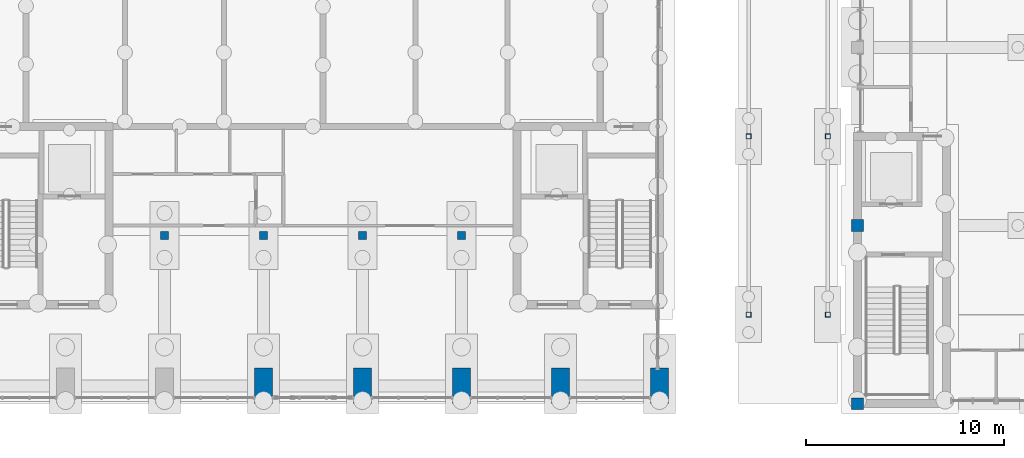
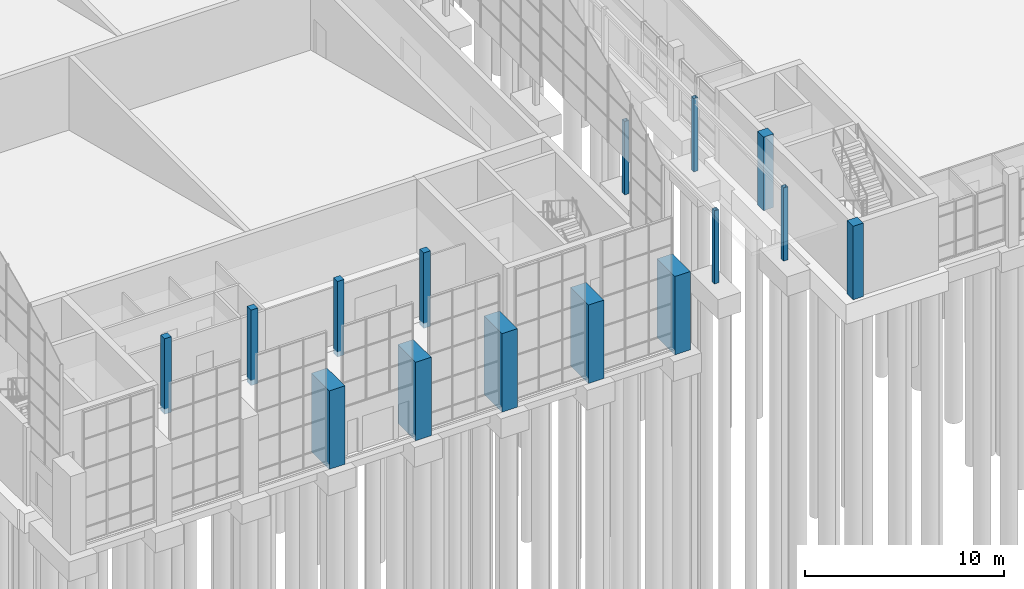
# One storey, part 9 of 106: 15 columns.
"""IFC4 building model written with IfcOpenShell, lengths in metres."""

from ifc_helpers import new_model, si_unit, direction, frame, origin, origin_2d, place, context, subcontext, project, spatial, rectangle, hollow_rectangle, extrude, material, material_profile, profile_set, type_object, element, save


model = new_model("IFC4")

# Units and contexts
model_context = context("Model", 3, precision=1e-05, world=origin(), true_north=direction((0.0, 1.0)))
body_context = subcontext(model_context, "Body", "Model", "MODEL_VIEW")
ifc_project = project(units=[si_unit("LENGTHUNIT", "METRE"), si_unit("AREAUNIT", "SQUARE_METRE"), si_unit("VOLUMEUNIT", "CUBIC_METRE"), si_unit("PLANEANGLEUNIT", "RADIAN"), si_unit("MASSUNIT", "GRAM", prefix="KILO")], contexts=[model_context])

# Site, building, storey
site_placement = place(None, origin())
site = spatial("IfcSite", under=ifc_project, at=site_placement, CompositionType="ELEMENT")
building_placement = place(site_placement, origin())
building = spatial("IfcBuilding", under=site, at=building_placement, Name="Merrow Basin Faculty of Sciences", CompositionType="ELEMENT")
storey_placement = place(building_placement, origin())
storey = spatial("IfcBuildingStorey", under=building, at=storey_placement, Name="L00", CompositionType="ELEMENT", Elevation=0.0)

# Columns
ifc_material_1 = material(Name="Steel ASTM A500 Gr C", Category="steel")
ifc_material_profile_1 = material_profile(ifc_material_1, hollow_rectangle(XDim=0.25390625, YDim=0.25390625, WallThickness=0.0126953125, at=origin_2d()))
ifc_profile_set_1 = profile_set([ifc_material_profile_1], Name="Steel ASTM A500 Gr C")
column_type_1 = type_object("IfcColumnType", Name="Canopy column HSS254x254x12.7", PredefinedType="COLUMN", material=ifc_profile_set_1)
for number, where, z_axis, x_axis, name in (
    (1, (39.5, 4.5, -0.300048828125), (0.0, 0.0, 1.0), (1.0, 0.0, 0.0), "Canopy column P2"),
    (2, (39.5, 13.5, -0.300048828125), (0.0, 0.0, 1.0), (1.0, 0.0, 0.0), "Canopy column P2"),
    (3, (43.5, 4.5, -0.300048828125), (0.0, 0.0, 1.0), (1.0, 0.0, 0.0), "Canopy column P2"),
    (4, (43.5, 13.5, -0.300048828125), (0.0, 0.0, 1.0), (1.0, 0.0, 0.0), "Canopy column P2"),
):
    element("IfcColumn", number, at=place(storey_placement, frame(where, z_axis=z_axis, x_axis=x_axis)), inside=storey, type_object=column_type_1, Name=name, PredefinedType="COLUMN", context=body_context, shape_type="SweptSolid", body=[
        extrude(hollow_rectangle(XDim=0.25390625, YDim=0.25390625, WallThickness=0.0126953125, at=origin_2d()), origin(), (0.0, 0.0, 1.0), 4.47998046875),
    ])
ifc_material_2 = material(Name="Concrete C40/50", Category="concrete")
ifc_material_profile_2 = material_profile(ifc_material_2, rectangle(XDim=0.39990234375, YDim=0.39990234375, at=origin_2d()))
ifc_profile_set_2 = profile_set([ifc_material_profile_2], Name="Concrete C40/50")
column_type_2 = type_object("IfcColumnType", Name="Column RC400x400 C40/50", PredefinedType="COLUMN", material=ifc_profile_set_2)
for number, where, z_axis, x_axis, name in (
    (5, (10.0, 8.5, -0.300048828125), (0.0, 0.0, 1.0), (1.0, 0.0, 0.0), "Column L L00"),
    (6, (15.0, 8.5, -0.300048828125), (0.0, 0.0, 1.0), (1.0, 0.0, 0.0), "Column M L00"),
    (7, (20.0, 8.5, -0.300048828125), (0.0, 0.0, 1.0), (1.0, 0.0, 0.0), "Column N L00"),
    (8, (25.0, 8.5, -0.300048828125), (0.0, 0.0, 1.0), (1.0, 0.0, 0.0), "Column P L00"),
):
    element("IfcColumn", number, at=place(storey_placement, frame(where, z_axis=z_axis, x_axis=x_axis)), inside=storey, type_object=column_type_2, Name=name, PredefinedType="COLUMN", context=body_context, shape_type="SweptSolid", body=[
        extrude(rectangle(XDim=0.39990234375, YDim=0.39990234375, at=origin_2d()), origin(), (0.0, 0.0, 1.0), 4.6201171875),
    ])
ifc_material_3 = material(Name="Concrete C40/50", Category="concrete")
ifc_material_profile_3 = material_profile(ifc_material_3, rectangle(XDim=0.60009765625, YDim=0.60009765625, at=origin_2d()))
ifc_profile_set_3 = profile_set([ifc_material_profile_3], Name="Concrete C40/50")
column_type_3 = type_object("IfcColumnType", Name="Column RC600x600 C40/50", PredefinedType="COLUMN", material=ifc_profile_set_3)
for number, where, z_axis, x_axis, name in (
    (9, (45.0, 0.0, -0.300048828125), (0.0, 0.0, 1.0), (1.0, 0.0, 0.0), "Column F10 L00"),
    (10, (45.0, 9.0, -0.300048828125), (0.0, 0.0, 1.0), (1.0, 0.0, 0.0), "Column F L00"),
):
    element("IfcColumn", number, at=place(storey_placement, frame(where, z_axis=z_axis, x_axis=x_axis)), inside=storey, type_object=column_type_3, Name=name, PredefinedType="COLUMN", context=body_context, shape_type="SweptSolid", body=[
        extrude(rectangle(XDim=0.60009765625, YDim=0.60009765625, at=origin_2d()), origin(), (0.0, 0.0, 1.0), 4.5),
    ])
ifc_material_4 = material(Name="Concrete C50/60", Category="concrete")
ifc_material_profile_4 = material_profile(ifc_material_4, rectangle(XDim=0.89990234375, YDim=1.800048828125, at=origin_2d()))
ifc_profile_set_4 = profile_set([ifc_material_profile_4], Name="Concrete C50/60")
column_type_4 = type_object("IfcColumnType", Name="Column RC900x1800 C50/60", PredefinedType="COLUMN", material=ifc_profile_set_4)
for number, where, z_axis, x_axis, name in (
    (11, (15.0, 0.89990234375, -0.300048828125), (0.0, 0.0, 1.0), (1.0, 0.0, 0.0), "Column M L00"),
    (12, (20.0, 0.89990234375, -0.300048828125), (0.0, 0.0, 1.0), (1.0, 0.0, 0.0), "Column N L00"),
    (13, (25.0, 0.89990234375, -0.300048828125), (0.0, 0.0, 1.0), (1.0, 0.0, 0.0), "Column P L00"),
    (14, (30.0, 0.89990234375, -0.300048828125), (0.0, 0.0, 1.0), (1.0, 0.0, 0.0), "Column Q L00"),
    (15, (35.0, 0.89990234375, -0.300048828125), (0.0, 0.0, 1.0), (1.0, 0.0, 0.0), "Column R L00"),
):
    element("IfcColumn", number, at=place(storey_placement, frame(where, z_axis=z_axis, x_axis=x_axis)), inside=storey, type_object=column_type_4, Name=name, PredefinedType="COLUMN", context=body_context, shape_type="SweptSolid", body=[
        extrude(rectangle(XDim=0.89990234375, YDim=1.800048828125, at=origin_2d()), origin(), (0.0, 0.0, 1.0), 4.800048828125),
    ])

save(model, "model.ifc")
